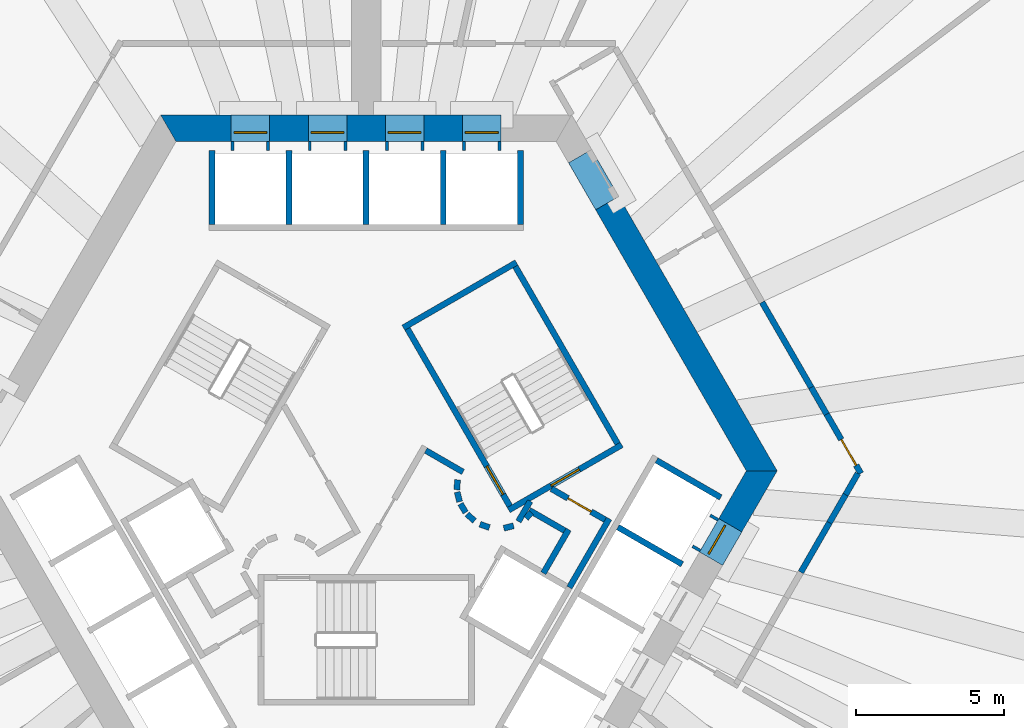
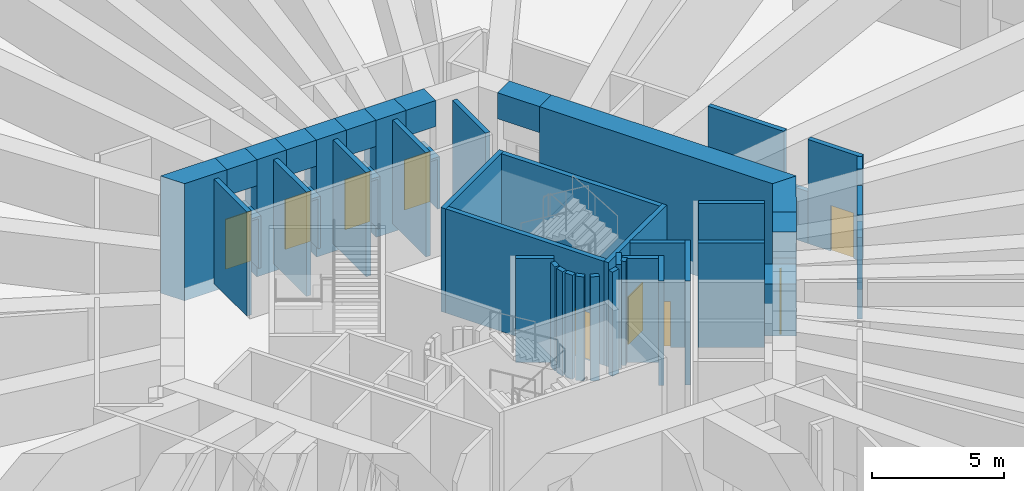
# One storey, part 8 of 21: 47 walls, 9 doors, 9 openings.
"""IFC4 building model written with IfcOpenShell, lengths in metres."""

from ifc_helpers import new_model, si_unit, direction, frame, frame_2d, origin, place, context, subcontext, project, spatial, polyline, rectangle, outline, extrude, material, layer, layer_set, type_object, element, fill, save


model = new_model("IFC4")

# Units and contexts
model_context = context("Model", 3, precision=1e-05, world=origin(), true_north=direction((0.0, 1.0)))
body_context = subcontext(model_context, "Body", "Model", "MODEL_VIEW")
ifc_project = project(units=[si_unit("LENGTHUNIT", "METRE"), si_unit("AREAUNIT", "SQUARE_METRE"), si_unit("VOLUMEUNIT", "CUBIC_METRE"), si_unit("PLANEANGLEUNIT", "RADIAN"), si_unit("MASSUNIT", "GRAM", prefix="KILO")], contexts=[model_context])

# Site, building, storey
site_placement = place(None, origin())
site = spatial("IfcSite", under=ifc_project, at=site_placement, CompositionType="ELEMENT")
building_placement = place(site_placement, origin())
building = spatial("IfcBuilding", under=site, at=building_placement, Name="Entoto Arch Interchange Tower", CompositionType="ELEMENT")
storey_placement = place(building_placement, frame((0.0, 0.0, 81.199951171875)))
storey = spatial("IfcBuildingStorey", under=building, at=storey_placement, Name="L17", CompositionType="ELEMENT", Elevation=81.199951171875)

# Walls
ifc_material_1 = material(Name="Concrete C60/75", Category="concrete")
ifc_layer_1 = layer(ifc_material_1, 0.89990234375)
ifc_layer_set_1 = layer_set([ifc_layer_1], Name="Concrete C60/75")
wall_type_1 = type_object("IfcWallType", Name="Core wall 900 C60/75", PredefinedType="SHEAR", material=ifc_layer_set_1)
wall_1_placement = place(storey_placement, frame((0.0, 0.0, -0.599853515625)))
element("IfcWall", 1, at=wall_1_placement, inside=storey, type_object=wall_type_1, Name="Core wall NE L17", PredefinedType="SHEAR", context=body_context, shape_type="SweptSolid", body=[
    extrude(outline(polyline([(8.51708984375, 11.7470703125), (7.738037109375, 11.298095703125), (12.81689453125, 2.5), (13.85595703125, 2.5), (8.51708984375, 11.7470703125)])), origin(), (0.0, 0.0, 1.0), 5.39990234375),
])
wall_2_placement = place(storey_placement, frame((0.0, 0.0, 3.60009765625)))
element("IfcWall", 2, at=wall_2_placement, inside=storey, type_object=wall_type_1, Name="Core wall lintel NE L17", PredefinedType="SHEAR", context=body_context, shape_type="SweptSolid", body=[
    extrude(outline(polyline([(7.60205078125, 13.33203125), (6.822998046875, 12.882080078125), (7.738037109375, 11.298095703125), (8.51708984375, 11.7470703125), (7.60205078125, 13.33203125)])), origin(), (0.0, 0.0, 1.0), 1.199951171875),
])
wall_3_placement = place(storey_placement, frame((0.0, 0.0, -0.599853515625)))
element("IfcWall", 3, at=wall_3_placement, inside=storey, type_object=wall_type_1, Name="Core wall N L17", PredefinedType="SHEAR", context=body_context, shape_type="SweptSolid", body=[
    extrude(outline(polyline([(1.949951171875, 14.5), (1.949951171875, 13.60009765625), (3.25, 13.60009765625), (3.25, 14.5), (1.949951171875, 14.5)])), origin(), (0.0, 0.0, 1.0), 5.39990234375),
])
wall_4_placement = place(storey_placement, frame((0.0, 0.0, -0.599853515625)))
element("IfcWall", 4, at=wall_4_placement, inside=storey, type_object=wall_type_1, Name="Core wall N L17", PredefinedType="SHEAR", context=body_context, shape_type="SweptSolid", body=[
    extrude(outline(polyline([(-0.64990234375, 14.5), (-0.64990234375, 13.60009765625), (0.64990234375, 13.60009765625), (0.64990234375, 14.5), (-0.64990234375, 14.5)])), origin(), (0.0, 0.0, 1.0), 5.39990234375),
])
wall_5_placement = place(storey_placement, frame((0.0, 0.0, -0.599853515625)))
element("IfcWall", 5, at=wall_5_placement, inside=storey, type_object=wall_type_1, Name="Core wall N L17", PredefinedType="SHEAR", context=body_context, shape_type="SweptSolid", body=[
    extrude(outline(polyline([(-3.25, 14.5), (-3.25, 13.60009765625), (-1.949951171875, 13.60009765625), (-1.949951171875, 14.5), (-3.25, 14.5)])), origin(), (0.0, 0.0, 1.0), 5.39990234375),
])
wall_6_placement = place(storey_placement, frame((0.0, 0.0, -0.599853515625)))
element("IfcWall", 6, at=wall_6_placement, inside=storey, type_object=wall_type_1, Name="Core wall N L17", PredefinedType="SHEAR", context=body_context, shape_type="SweptSolid", body=[
    extrude(outline(polyline([(-4.550048828125, 13.60009765625), (-4.550048828125, 14.5), (-6.927978515625, 14.5), (-6.408935546875, 13.60009765625), (-4.550048828125, 13.60009765625)])), origin(), (0.0, 0.0, 1.0), 5.39990234375),
])
wall_7_placement = place(storey_placement, frame((0.0, 0.0, 3.60009765625)))
element("IfcWall", 7, at=wall_7_placement, inside=storey, type_object=wall_type_1, Name="Core wall lintel N L17", PredefinedType="SHEAR", context=body_context, shape_type="SweptSolid", body=[
    extrude(outline(polyline([(3.25, 14.5), (3.25, 13.60009765625), (4.550048828125, 13.60009765625), (4.550048828125, 14.5), (3.25, 14.5)])), origin(), (0.0, 0.0, 1.0), 1.199951171875),
])
wall_8_placement = place(storey_placement, frame((0.0, 0.0, 3.60009765625)))
element("IfcWall", 8, at=wall_8_placement, inside=storey, type_object=wall_type_1, Name="Core wall lintel N L17", PredefinedType="SHEAR", context=body_context, shape_type="SweptSolid", body=[
    extrude(outline(polyline([(0.64990234375, 14.5), (0.64990234375, 13.60009765625), (1.949951171875, 13.60009765625), (1.949951171875, 14.5), (0.64990234375, 14.5)])), origin(), (0.0, 0.0, 1.0), 1.199951171875),
])
wall_9_placement = place(storey_placement, frame((0.0, 0.0, 3.60009765625)))
element("IfcWall", 9, at=wall_9_placement, inside=storey, type_object=wall_type_1, Name="Core wall lintel N L17", PredefinedType="SHEAR", context=body_context, shape_type="SweptSolid", body=[
    extrude(outline(polyline([(-1.949951171875, 14.5), (-1.949951171875, 13.60009765625), (-0.64990234375, 13.60009765625), (-0.64990234375, 14.5), (-1.949951171875, 14.5)])), origin(), (0.0, 0.0, 1.0), 1.199951171875),
])
wall_10_placement = place(storey_placement, frame((0.0, 0.0, 3.60009765625)))
element("IfcWall", 10, at=wall_10_placement, inside=storey, type_object=wall_type_1, Name="Core wall lintel N L17", PredefinedType="SHEAR", context=body_context, shape_type="SweptSolid", body=[
    extrude(outline(polyline([(-4.550048828125, 14.5), (-4.550048828125, 13.60009765625), (-3.25, 13.60009765625), (-3.25, 14.5), (-4.550048828125, 14.5)])), origin(), (0.0, 0.0, 1.0), 1.199951171875),
])
wall_11_placement = place(storey_placement, frame((0.0, 0.0, -0.599853515625)))
element("IfcWall", 11, at=wall_11_placement, inside=storey, type_object=wall_type_1, Name="Core wall SE L17", PredefinedType="SHEAR", context=body_context, shape_type="SweptSolid", body=[
    extrude(outline(polyline([(11.887939453125, 0.889892578125), (12.6669921875, 0.43994140625), (13.85595703125, 2.5), (12.81689453125, 2.5), (11.887939453125, 0.889892578125)])), origin(), (0.0, 0.0, 1.0), 5.39990234375),
])
wall_12_placement = place(storey_placement, frame((0.0, 0.0, 3.60009765625)))
element("IfcWall", 12, at=wall_12_placement, inside=storey, type_object=wall_type_1, Name="Core wall lintel SE L17", PredefinedType="SHEAR", context=body_context, shape_type="SweptSolid", body=[
    extrude(outline(polyline([(12.6669921875, 0.43994140625), (11.887939453125, 0.889892578125), (11.238037109375, -0.236083984375), (12.01708984375, -0.68603515625), (12.6669921875, 0.43994140625)])), origin(), (0.0, 0.0, 1.0), 1.199951171875),
])

# Wall, opening, door
ifc_material_2 = material(Name="Concrete C40/50", Category="concrete")
ifc_layer_2 = layer(ifc_material_2, 1.199951171875)
ifc_layer_set_2 = layer_set([ifc_layer_2], Name="Concrete C40/50")
wall_type_2 = type_object("IfcWallType", Name="LIFT LANDING INFILL WALL", PredefinedType="STANDARD", material=ifc_layer_set_2)
wall_13_placement = place(storey_placement, frame((4.550048828125, 13.89990234375, 0.0), z_axis=(0.0, 0.0, 1.0), x_axis=(-1.0, 0.0, 0.0)))
wall_13 = element("IfcWall", 13, at=wall_13_placement, inside=storey, type_object=wall_type_2, Name="Lift landing infill wall LR1 L17", PredefinedType="STANDARD", context=body_context, shape_type="SweptSolid", body=[
    extrude(rectangle(XDim=1.300048828125, YDim=1.199951171875, at=frame_2d((0.64990234375, 0.0))), origin(), (0.0, 0.0, 1.0), 2.400146484375),
])
opening_1_placement = place(wall_13_placement, frame((0.10009765625, 0.0, 0.0)))
opening_1 = element("IfcOpeningElement", 14, at=opening_1_placement, cuts=wall_13, Name="Opening LD-LR1-L17", PredefinedType="OPENING", context=body_context, shape_type="SweptSolid", body=[
    extrude(rectangle(XDim=1.10009765625, YDim=2.300048828125, at=frame_2d((0.550048828125, 1.14990234375))), frame((0.0, 0.60986328125, 0.0), z_axis=(0.0, -1.0, 0.0), x_axis=(1.0, 0.0, 0.0)), (0.0, 0.0, 1.0), 1.219970703125),
])
ifc_material_3 = material(Name="Stainless steel 1.4301 panels", Category="steel")
door_type_1 = type_object("IfcDoorType", Name="LIFT LANDING DOOR LD2 1100x2300", OperationType="SLIDING_TO_LEFT", PredefinedType="DOOR", material=ifc_material_3)
door_1_placement = place(opening_1_placement, origin())
door_1 = element("IfcDoor", 15, at=door_1_placement, inside=storey, type_object=door_type_1, Name="Lift landing door LR1 L17", OperationType="SLIDING_TO_LEFT", OverallHeight=2.300048828125, OverallWidth=1.10009765625, PredefinedType="DOOR", context=body_context, shape_type="SweptSolid", body=[
    extrude(rectangle(XDim=1.10009765625, YDim=2.300048828125, at=frame_2d((0.550048828125, 1.14990234375))), frame((0.0, 0.02490234375, 0.0), z_axis=(0.0, -1.0, 0.0), x_axis=(1.0, 0.0, 0.0)), (0.0, 0.0, 1.0), 0.050048828125),
])
fill(opening_1, door_1)

wall_14_placement = place(storey_placement, frame((1.949951171875, 13.89990234375, 0.0), z_axis=(0.0, 0.0, 1.0), x_axis=(-1.0, 0.0, 0.0)))
wall_14 = element("IfcWall", 16, at=wall_14_placement, inside=storey, type_object=wall_type_2, Name="Lift landing infill wall LR2 L17", PredefinedType="STANDARD", context=body_context, shape_type="SweptSolid", body=[
    extrude(rectangle(XDim=1.300048828125, YDim=1.199951171875, at=frame_2d((0.64990234375, 0.0))), origin(), (0.0, 0.0, 1.0), 2.400146484375),
])
opening_2_placement = place(wall_14_placement, frame((0.10009765625, 0.0, 0.0)))
opening_2 = element("IfcOpeningElement", 17, at=opening_2_placement, cuts=wall_14, Name="Opening LD-LR2-L17", PredefinedType="OPENING", context=body_context, shape_type="SweptSolid", body=[
    extrude(rectangle(XDim=1.10009765625, YDim=2.300048828125, at=frame_2d((0.550048828125, 1.14990234375))), frame((0.0, 0.60986328125, 0.0), z_axis=(0.0, -1.0, 0.0), x_axis=(1.0, 0.0, 0.0)), (0.0, 0.0, 1.0), 1.219970703125),
])
door_2_placement = place(opening_2_placement, origin())
door_2 = element("IfcDoor", 18, at=door_2_placement, inside=storey, type_object=door_type_1, Name="Lift landing door LR2 L17", OperationType="SLIDING_TO_LEFT", OverallHeight=2.300048828125, OverallWidth=1.10009765625, PredefinedType="DOOR", context=body_context, shape_type="SweptSolid", body=[
    extrude(rectangle(XDim=1.10009765625, YDim=2.300048828125, at=frame_2d((0.550048828125, 1.14990234375))), frame((0.0, 0.02490234375, 0.0), z_axis=(0.0, -1.0, 0.0), x_axis=(1.0, 0.0, 0.0)), (0.0, 0.0, 1.0), 0.050048828125),
])
fill(opening_2, door_2)

wall_15_placement = place(storey_placement, frame((-0.64990234375, 13.89990234375, 0.0), z_axis=(0.0, 0.0, 1.0), x_axis=(-1.0, 0.0, 0.0)))
wall_15 = element("IfcWall", 19, at=wall_15_placement, inside=storey, type_object=wall_type_2, Name="Lift landing infill wall LR3 L17", PredefinedType="STANDARD", context=body_context, shape_type="SweptSolid", body=[
    extrude(rectangle(XDim=1.300048828125, YDim=1.199951171875, at=frame_2d((0.64990234375, 0.0))), origin(), (0.0, 0.0, 1.0), 2.400146484375),
])
opening_3_placement = place(wall_15_placement, frame((0.10009765625, 0.0, 0.0)))
opening_3 = element("IfcOpeningElement", 20, at=opening_3_placement, cuts=wall_15, Name="Opening LD-LR3-L17", PredefinedType="OPENING", context=body_context, shape_type="SweptSolid", body=[
    extrude(rectangle(XDim=1.10009765625, YDim=2.300048828125, at=frame_2d((0.550048828125, 1.14990234375))), frame((0.0, 0.60986328125, 0.0), z_axis=(0.0, -1.0, 0.0), x_axis=(1.0, 0.0, 0.0)), (0.0, 0.0, 1.0), 1.219970703125),
])
door_3_placement = place(opening_3_placement, origin())
door_3 = element("IfcDoor", 21, at=door_3_placement, inside=storey, type_object=door_type_1, Name="Lift landing door LR3 L17", OperationType="SLIDING_TO_LEFT", OverallHeight=2.300048828125, OverallWidth=1.10009765625, PredefinedType="DOOR", context=body_context, shape_type="SweptSolid", body=[
    extrude(rectangle(XDim=1.10009765625, YDim=2.300048828125, at=frame_2d((0.550048828125, 1.14990234375))), frame((0.0, 0.02490234375, 0.0), z_axis=(0.0, -1.0, 0.0), x_axis=(1.0, 0.0, 0.0)), (0.0, 0.0, 1.0), 0.050048828125),
])
fill(opening_3, door_3)

wall_16_placement = place(storey_placement, frame((-3.25, 13.89990234375, 0.0), z_axis=(0.0, 0.0, 1.0), x_axis=(-1.0, 0.0, 0.0)))
wall_16 = element("IfcWall", 22, at=wall_16_placement, inside=storey, type_object=wall_type_2, Name="Lift landing infill wall LR4 L17", PredefinedType="STANDARD", context=body_context, shape_type="SweptSolid", body=[
    extrude(rectangle(XDim=1.300048828125, YDim=1.199951171875, at=frame_2d((0.64990234375, 0.0))), origin(), (0.0, 0.0, 1.0), 2.400146484375),
])
opening_4_placement = place(wall_16_placement, frame((0.10009765625, 0.0, 0.0)))
opening_4 = element("IfcOpeningElement", 23, at=opening_4_placement, cuts=wall_16, Name="Opening LD-LR4-L17", PredefinedType="OPENING", context=body_context, shape_type="SweptSolid", body=[
    extrude(rectangle(XDim=1.10009765625, YDim=2.300048828125, at=frame_2d((0.550048828125, 1.14990234375))), frame((0.0, 0.60986328125, 0.0), z_axis=(0.0, -1.0, 0.0), x_axis=(1.0, 0.0, 0.0)), (0.0, 0.0, 1.0), 1.219970703125),
])
door_4_placement = place(opening_4_placement, origin())
door_4 = element("IfcDoor", 24, at=door_4_placement, inside=storey, type_object=door_type_1, Name="Lift landing door LR4 L17", OperationType="SLIDING_TO_LEFT", OverallHeight=2.300048828125, OverallWidth=1.10009765625, PredefinedType="DOOR", context=body_context, shape_type="SweptSolid", body=[
    extrude(rectangle(XDim=1.10009765625, YDim=2.300048828125, at=frame_2d((0.550048828125, 1.14990234375))), frame((0.0, 0.02490234375, 0.0), z_axis=(0.0, -1.0, 0.0), x_axis=(1.0, 0.0, 0.0)), (0.0, 0.0, 1.0), 0.050048828125),
])
fill(opening_4, door_4)

wall_17_placement = place(storey_placement, frame((11.498046875, -0.385009765625, 0.0), z_axis=(0.0, 0.0, 1.0), x_axis=(0.500221244143, 0.865897630733, 0.0)))
wall_17 = element("IfcWall", 25, at=wall_17_placement, inside=storey, type_object=wall_type_2, Name="Lift landing infill wall LR8 L17", PredefinedType="STANDARD", context=body_context, shape_type="SweptSolid", body=[
    extrude(rectangle(XDim=1.29931640625, YDim=1.199951171875, at=frame_2d((0.649658203125, 0.0))), origin(), (0.0, 0.0, 1.0), 2.400146484375),
])
opening_5_placement = place(wall_17_placement, frame((0.10009765625, 0.0, 0.0)))
opening_5 = element("IfcOpeningElement", 26, at=opening_5_placement, cuts=wall_17, Name="Opening LD-LR8-L17", PredefinedType="OPENING", context=body_context, shape_type="SweptSolid", body=[
    extrude(rectangle(XDim=1.10009765625, YDim=2.300048828125, at=frame_2d((0.550048828125, 1.14990234375))), frame((0.0, 0.60986328125, 0.0), z_axis=(0.0, -1.0, 0.0), x_axis=(1.0, 0.0, 0.0)), (0.0, 0.0, 1.0), 1.219970703125),
])
door_5_placement = place(opening_5_placement, origin())
door_5 = element("IfcDoor", 27, at=door_5_placement, inside=storey, type_object=door_type_1, Name="Lift landing door LR8 L17", OperationType="SLIDING_TO_LEFT", OverallHeight=2.300048828125, OverallWidth=1.10009765625, PredefinedType="DOOR", context=body_context, shape_type="SweptSolid", body=[
    extrude(rectangle(XDim=1.10009765625, YDim=2.300048828125, at=frame_2d((0.550048828125, 1.14990234375))), frame((0.0, 0.02490234375, 0.0), z_axis=(0.0, -1.0, 0.0), x_axis=(1.0, 0.0, 0.0)), (0.0, 0.0, 1.0), 0.050048828125),
])
fill(opening_5, door_5)

# Walls
ifc_layer_3 = layer(ifc_material_2, 0.199951171875)
ifc_layer_set_3 = layer_set([ifc_layer_3], Name="Concrete C40/50")
wall_type_3 = type_object("IfcWallType", Name="LIFT SHAFT WALL 200", PredefinedType="STANDARD", material=ifc_layer_set_3)
for number, where, z_axis, x_axis, name in (
    (28, (5.199951171875, 10.800048828125, 0.0), (0.0, 0.0, 1.0), (0.0, 1.0, 0.0), "Shaft wall N3 cross 1"),
    (29, (2.60009765625, 10.800048828125, 0.0), (0.0, 0.0, 1.0), (0.0, 1.0, 0.0), "Shaft wall N3 cross 2"),
    (30, (0.0, 10.800048828125, 0.0), (0.0, 0.0, 1.0), (0.0, 1.0, 0.0), "Shaft wall N3 cross 3"),
    (31, (-2.60009765625, 10.800048828125, 0.0), (0.0, 0.0, 1.0), (0.0, 1.0, 0.0), "Shaft wall N3 cross 4"),
    (32, (-5.199951171875, 10.800048828125, 0.0), (0.0, 0.0, 1.0), (0.0, 1.0, 0.0), "Shaft wall N3 cross 5"),
    (33, (8.488037109375, 0.60205078125, 0.0), (0.0, 0.0, 1.0), (0.866022959057, -0.500004234368, 0.0), "Shaft wall SE3 cross 4"),
):
    element("IfcWall", number, at=place(storey_placement, frame(where, z_axis=z_axis, x_axis=x_axis)), inside=storey, type_object=wall_type_3, Name=name, PredefinedType="STANDARD", context=body_context, shape_type="SweptSolid", body=[
        extrude(rectangle(XDim=2.5, YDim=0.199951171875, at=frame_2d((1.25, 0.0))), origin(), (0.0, 0.0, 1.0), 4.800048828125),
    ])
wall_18_placement = place(storey_placement, frame((9.7880859375, 2.85302734375, 0.0), z_axis=(0.0, 0.0, 1.0), x_axis=(0.865998541277, -0.500046524342, 0.0)))
element("IfcWall", 34, at=wall_18_placement, inside=storey, type_object=wall_type_3, Name="Shaft wall SE3 cross 5", PredefinedType="STANDARD", context=body_context, shape_type="SweptSolid", body=[
    extrude(rectangle(XDim=2.499755859375, YDim=0.199951171875, at=frame_2d((1.25, 0.0))), origin(), (0.0, 0.0, 1.0), 4.800048828125),
])
ifc_material_4 = material(Name="Gypsum board partition on steel studs", Category="steel")
ifc_layer_4 = layer(ifc_material_4, 0.199951171875)
ifc_layer_set_4 = layer_set([ifc_layer_4], Name="Gypsum board partition on steel studs")
wall_type_4 = type_object("IfcWallType", Name="PARTITION 200", PredefinedType="PARTITIONING", material=ifc_layer_set_4)
wall_19_placement = place(storey_placement, frame((5.389892578125, 0.89794921875, 0.0), z_axis=(0.0, 0.0, 1.0), x_axis=(0.673828488714, 0.738887791073, 0.0)))
element("IfcWall", 35, at=wall_19_placement, inside=storey, type_object=wall_type_4, Name="wall:L17:p001", PredefinedType="PARTITIONING", context=body_context, shape_type="SweptSolid", body=[
    extrude(rectangle(XDim=0.2626953125, YDim=0.199951171875, at=frame_2d((0.13134765625, 0.0))), origin(), (0.0, 0.0, 1.0), 4.800048828125),
])
wall_20_placement = place(storey_placement, frame((5.4990234375, 1.172119140625, 0.0), z_axis=(0.0, 0.0, 1.0), x_axis=(0.866333505267, -0.499465972466, 0.0)))
element("IfcWall", 36, at=wall_20_placement, inside=storey, type_object=wall_type_4, Name="wall:L17:p002", PredefinedType="PARTITIONING", context=body_context, shape_type="SweptSolid", body=[
    extrude(rectangle(XDim=1.37353515625, YDim=0.199951171875, at=frame_2d((0.686767578125, 0.0))), origin(), (0.0, 0.0, 1.0), 4.800048828125),
])
wall_21_placement = place(storey_placement, frame((6.825927734375, 0.52197265625, 0.0), z_axis=(0.0, 0.0, 1.0), x_axis=(-0.500016722714, -0.866015748706, 0.0)))
element("IfcWall", 37, at=wall_21_placement, inside=storey, type_object=wall_type_4, Name="wall:L17:p003", PredefinedType="PARTITIONING", context=body_context, shape_type="SweptSolid", body=[
    extrude(rectangle(XDim=1.69970703125, YDim=0.199951171875, at=frame_2d((0.849853515625, 0.0))), origin(), (0.0, 0.0, 1.0), 4.800048828125),
])
wall_22_placement = place(storey_placement, frame((8.19189453125, 0.887939453125, 0.0), z_axis=(0.0, 0.0, 1.0), x_axis=(-0.499940625693, -0.866059680843, 0.0)))
element("IfcWall", 38, at=wall_22_placement, inside=storey, type_object=wall_type_4, Name="wall:L17:p004", PredefinedType="PARTITIONING", context=body_context, shape_type="SweptSolid", body=[
    extrude(rectangle(XDim=2.679931640625, YDim=0.199951171875, at=frame_2d((1.33984375, 0.0))), origin(), (0.0, 0.0, 1.0), 4.800048828125),
])
wall_23_placement = place(storey_placement, frame((5.135009765625, 0.79296875, 0.0), z_axis=(0.0, 0.0, 1.0), x_axis=(0.499526442893, 0.866298639529, 0.0)))
element("IfcWall", 39, at=wall_23_placement, inside=storey, type_object=wall_type_4, Name="wall:L17:p005", PredefinedType="PARTITIONING", context=body_context, shape_type="SweptSolid", body=[
    extrude(rectangle(XDim=0.790771484375, YDim=0.199951171875, at=frame_2d((0.3955078125, 0.0))), origin(), (0.0, 0.0, 1.0), 4.800048828125),
])

# Wall, opening, door
wall_24_placement = place(storey_placement, frame((6.25, 1.89404296875, 0.0), z_axis=(0.0, 0.0, 1.0), x_axis=(0.866043184279, -0.499969202016, 0.0)))
wall_24 = element("IfcWall", 40, at=wall_24_placement, inside=storey, type_object=wall_type_4, Name="wall:L17:p006", PredefinedType="PARTITIONING", context=body_context, shape_type="SweptSolid", body=[
    extrude(rectangle(XDim=2.084228515625, YDim=0.199951171875, at=frame_2d((1.0419921875, 0.0))), origin(), (0.0, 0.0, 1.0), 4.800048828125),
])
opening_6_placement = place(wall_24_placement, frame((0.64208984375, 0.0, 0.0)))
opening_6 = element("IfcOpeningElement", 41, at=opening_6_placement, cuts=wall_24, Name="Opening L17-D22", PredefinedType="OPENING", context=body_context, shape_type="SweptSolid", body=[
    extrude(rectangle(XDim=0.89990234375, YDim=2.10009765625, at=frame_2d((0.449951171875, 1.050048828125))), frame((0.0, 0.10986328125, 0.0), z_axis=(0.0, -1.0, 0.0), x_axis=(1.0, 0.0, 0.0)), (0.0, 0.0, 1.0), 0.219970703125),
])
ifc_material_5 = material(Name="Timber door leaf in Steel S235 frame", Category="steel")
door_type_2 = type_object("IfcDoorType", Name="DOOR DS-09 900x2100", OperationType="SINGLE_SWING_LEFT", PredefinedType="DOOR", material=ifc_material_5)
door_6_placement = place(opening_6_placement, origin())
door_6 = element("IfcDoor", 42, at=door_6_placement, inside=storey, type_object=door_type_2, Name="door:L17:22", OperationType="SINGLE_SWING_LEFT", OverallHeight=2.10009765625, OverallWidth=0.89990234375, PredefinedType="DOOR", context=body_context, shape_type="SweptSolid", body=[
    extrude(rectangle(XDim=0.89990234375, YDim=2.10009765625, at=frame_2d((0.449951171875, 1.050048828125))), frame((0.0, 0.02490234375, 0.0), z_axis=(0.0, -1.0, 0.0), x_axis=(1.0, 0.0, 0.0)), (0.0, 0.0, 1.0), 0.050048828125),
])
fill(opening_6, door_6)

# Walls
wall_25_placement = place(storey_placement, frame((3.0791015625, 2.198974609375, 0.0), z_axis=(0.0, 0.0, 1.0), x_axis=(-0.047771483479, -0.998858290933, 0.0)))
element("IfcWall", 43, at=wall_25_placement, inside=storey, type_object=wall_type_4, Name="wall:L17:p012", PredefinedType="PARTITIONING", context=body_context, shape_type="SweptSolid", body=[
    extrude(rectangle(XDim=0.33740234375, YDim=0.199951171875, at=frame_2d((0.168701171875, 0.0))), origin(), (0.0, 0.0, 1.0), 4.800048828125),
])
wall_26_placement = place(storey_placement, frame((3.070068359375, 1.785888671875, 0.0), z_axis=(0.0, 0.0, 1.0), x_axis=(0.242705583207, -0.970099994784, 0.0)))
element("IfcWall", 44, at=wall_26_placement, inside=storey, type_object=wall_type_4, Name="wall:L17:p013", PredefinedType="PARTITIONING", context=body_context, shape_type="SweptSolid", body=[
    extrude(rectangle(XDim=0.337890625, YDim=0.199951171875, at=frame_2d((0.1689453125, 0.0))), origin(), (0.0, 0.0, 1.0), 4.800048828125),
])
for number, where, z_axis, x_axis, name in (
    (45, (3.181884765625, 1.387939453125, 0.0), (0.0, 0.0, 1.0), (0.512474702713, -0.85870232274, 0.0), "wall:L17:p014"),
    (46, (3.404052734375, 1.0390625, 0.0), (0.0, 0.0, 1.0), (0.740267097712, -0.672312891476, 0.0), "wall:L17:p015"),
):
    element("IfcWall", number, at=place(storey_placement, frame(where, z_axis=z_axis, x_axis=x_axis)), inside=storey, type_object=wall_type_4, Name=name, PredefinedType="PARTITIONING", context=body_context, shape_type="SweptSolid", body=[
        extrude(rectangle(XDim=0.337646484375, YDim=0.199951171875, at=frame_2d((0.1689453125, 0.0))), origin(), (0.0, 0.0, 1.0), 4.800048828125),
    ])
wall_27_placement = place(storey_placement, frame((3.837890625, 0.701904296875, 0.0), z_axis=(0.0, 0.0, 1.0), x_axis=(0.941035081519, -0.338308993895, 0.0)))
element("IfcWall", 47, at=wall_27_placement, inside=storey, type_object=wall_type_4, Name="wall:L17:p016", PredefinedType="PARTITIONING", context=body_context, shape_type="SweptSolid", body=[
    extrude(rectangle(XDim=0.3369140625, YDim=0.199951171875, at=frame_2d((0.16845703125, 0.0))), origin(), (0.0, 0.0, 1.0), 4.800048828125),
])
wall_28_placement = place(storey_placement, frame((4.64404296875, 0.56396484375, 0.0), z_axis=(0.0, 0.0, 1.0), x_axis=(0.969929076366, 0.243387729394, 0.0)))
element("IfcWall", 48, at=wall_28_placement, inside=storey, type_object=wall_type_4, Name="wall:L17:p017", PredefinedType="PARTITIONING", context=body_context, shape_type="SweptSolid", body=[
    extrude(rectangle(XDim=0.337158203125, YDim=0.199951171875, at=frame_2d((0.16845703125, 0.0))), origin(), (0.0, 0.0, 1.0), 4.800048828125),
])
wall_29_placement = place(storey_placement, frame((2.011962890625, 3.18603515625, 0.0), z_axis=(0.0, 0.0, 1.0), x_axis=(0.865891012941, -0.500232699559, 0.0)))
element("IfcWall", 49, at=wall_29_placement, inside=storey, type_object=wall_type_4, Name="wall:L17:p019", PredefinedType="PARTITIONING", context=body_context, shape_type="SweptSolid", body=[
    extrude(rectangle(XDim=1.449462890625, YDim=0.199951171875, at=frame_2d((0.724609375, 0.0))), origin(), (0.0, 0.0, 1.0), 4.800048828125),
])
wall_30_placement = place(storey_placement, frame((16.576904296875, 2.4130859375, 0.0), z_axis=(0.0, 0.0, 1.0), x_axis=(-0.499850094852, -0.866111934265, 0.0)))
element("IfcWall", 50, at=wall_30_placement, inside=storey, type_object=wall_type_4, Name="wall:L17:p054", PredefinedType="PARTITIONING", context=body_context, shape_type="SweptSolid", body=[
    extrude(rectangle(XDim=0.827880859375, YDim=0.199951171875, at=frame_2d((0.4140625, 0.0))), origin(), (0.0, 0.0, 1.0), 4.800048828125),
])
wall_31_placement = place(storey_placement, frame((13.345947265625, 8.18310546875, 0.0), z_axis=(0.0, 0.0, 1.0), x_axis=(0.499981780173, -0.866035922751, 0.0)))
element("IfcWall", 51, at=wall_31_placement, inside=storey, type_object=wall_type_4, Name="wall:L17:p053", PredefinedType="PARTITIONING", context=body_context, shape_type="SweptSolid", body=[
    extrude(rectangle(XDim=3.31396484375, YDim=0.199951171875, at=frame_2d((1.656982421875, 0.0))), origin(), (0.0, 0.0, 1.0), 4.800048828125),
])
wall_32_placement = place(storey_placement, frame((15.0029296875, 5.31298828125, 0.0), z_axis=(0.0, 0.0, 1.0), x_axis=(0.499715696113, -0.8661894845, 0.0)))
element("IfcWall", 52, at=wall_32_placement, inside=storey, type_object=wall_type_4, Name="wall:L17:p053", PredefinedType="PARTITIONING", context=body_context, shape_type="SweptSolid", body=[
    extrude(rectangle(XDim=1.04248046875, YDim=0.199951171875, at=frame_2d((0.521240234375, 0.0))), origin(), (0.0, 0.0, 1.0), 2.400146484375),
])

# Wall, opening, door
wall_33_placement = place(storey_placement, frame((15.52392578125, 4.409912109375, 0.0), z_axis=(0.0, 0.0, 1.0), x_axis=(0.500067667087, -0.865986332649, 0.0)))
wall_33 = element("IfcWall", 53, at=wall_33_placement, inside=storey, type_object=wall_type_4, Name="wall:L17:p053", PredefinedType="PARTITIONING", context=body_context, shape_type="SweptSolid", body=[
    extrude(rectangle(XDim=2.305908203125, YDim=0.199951171875, at=frame_2d((1.15283203125, 0.0))), origin(), (0.0, 0.0, 1.0), 4.800048828125),
])
opening_7_placement = place(wall_33_placement, frame((0.988037109375, 0.0, 0.0)))
opening_7 = element("IfcOpeningElement", 54, at=opening_7_placement, cuts=wall_33, Name="Opening L17-D09", PredefinedType="OPENING", context=body_context, shape_type="SweptSolid", body=[
    extrude(rectangle(XDim=1.0, YDim=2.10009765625, at=frame_2d((0.5, 1.050048828125))), frame((0.0, 0.10986328125, 0.0), z_axis=(0.0, -1.0, 0.0), x_axis=(1.0, 0.0, 0.0)), (0.0, 0.0, 1.0), 0.219970703125),
])
ifc_material_6 = material(Name="Fire-rated Steel S235 door and frame", Category="steel")
door_type_3 = type_object("IfcDoorType", Name="DOOR FD-10 1000x2100", OperationType="SINGLE_SWING_LEFT", PredefinedType="DOOR", material=ifc_material_6)
door_7_placement = place(opening_7_placement, origin())
door_7 = element("IfcDoor", 55, at=door_7_placement, inside=storey, type_object=door_type_3, Name="door:L17:09", OperationType="SINGLE_SWING_LEFT", OverallHeight=2.10009765625, OverallWidth=1.0, PredefinedType="DOOR", context=body_context, shape_type="SweptSolid", body=[
    extrude(rectangle(XDim=1.0, YDim=2.10009765625, at=frame_2d((0.5, 1.050048828125))), frame((0.0, 0.02490234375, 0.0), z_axis=(0.0, -1.0, 0.0), x_axis=(1.0, 0.0, 0.0)), (0.0, 0.0, 1.0), 0.050048828125),
])
fill(opening_7, door_7)

# Walls
wall_34_placement = place(storey_placement, frame((16.1630859375, 1.696044921875, 0.0), z_axis=(0.0, 0.0, 1.0), x_axis=(-0.500348398615, -0.865824162289, 0.0)))
element("IfcWall", 56, at=wall_34_placement, inside=storey, type_object=wall_type_4, Name="wall:L17:p054", PredefinedType="PARTITIONING", context=body_context, shape_type="SweptSolid", body=[
    extrude(rectangle(XDim=1.091552734375, YDim=0.199951171875, at=frame_2d((0.5458984375, 0.0))), origin(), (0.0, 0.0, 1.0), 2.400146484375),
])
wall_35_placement = place(storey_placement, frame((15.616943359375, 0.7509765625, 0.0), z_axis=(0.0, 0.0, 1.0), x_axis=(-0.499517771221, -0.866303639744, 0.0)))
element("IfcWall", 57, at=wall_35_placement, inside=storey, type_object=wall_type_4, Name="wall:L17:p054", PredefinedType="PARTITIONING", context=body_context, shape_type="SweptSolid", body=[
    extrude(rectangle(XDim=1.927734375, YDim=0.199951171875, at=frame_2d((0.9638671875, 0.0))), origin(), (0.0, 0.0, 1.0), 4.800048828125),
])

# Wall, opening, door
ifc_layer_5 = layer(ifc_material_2, 0.199951171875)
ifc_layer_set_5 = layer_set([ifc_layer_5], Name="Concrete C40/50")
wall_type_5 = type_object("IfcWallType", Name="STAIR ENCLOSURE WALL 200", PredefinedType="STANDARD", material=ifc_layer_set_5)
wall_36_placement = place(storey_placement, frame((4.805908203125, 1.176025390625, 0.0), z_axis=(0.0, 0.0, 1.0), x_axis=(0.866059941101, 0.499940174841, 0.0)))
wall_36 = element("IfcWall", 58, at=wall_36_placement, inside=storey, type_object=wall_type_5, Name="Stair wall ST-NE near", PredefinedType="STANDARD", context=body_context, shape_type="SweptSolid", body=[
    extrude(rectangle(XDim=4.400390625, YDim=0.199951171875, at=frame_2d((2.2001953125, 0.0))), origin(), (0.0, 0.0, 1.0), 4.800048828125),
])
opening_8_placement = place(wall_36_placement, frame((1.64990234375, 0.0, 0.0)))
opening_8 = element("IfcOpeningElement", 59, at=opening_8_placement, cuts=wall_36, Name="Opening SD-ST-NE-L17-E", PredefinedType="OPENING", context=body_context, shape_type="SweptSolid", body=[
    extrude(rectangle(XDim=1.10009765625, YDim=2.199951171875, at=frame_2d((0.550048828125, 1.10009765625))), frame((0.0, 0.10986328125, 0.0), z_axis=(0.0, -1.0, 0.0), x_axis=(1.0, 0.0, 0.0)), (0.0, 0.0, 1.0), 0.219970703125),
])
ifc_material_7 = material(Name="Steel S235", Category="steel")
door_type_4 = type_object("IfcDoorType", Name="STAIR DOOR SD1 1100x2200", OperationType="SINGLE_SWING_LEFT", PredefinedType="DOOR", material=ifc_material_7)
door_8_placement = place(opening_8_placement, origin())
door_8 = element("IfcDoor", 60, at=door_8_placement, inside=storey, type_object=door_type_4, Name="Stair door ST-NE L17 end", OperationType="SINGLE_SWING_LEFT", OverallHeight=2.199951171875, OverallWidth=1.10009765625, PredefinedType="DOOR", context=body_context, shape_type="SweptSolid", body=[
    extrude(rectangle(XDim=1.10009765625, YDim=2.199951171875, at=frame_2d((0.550048828125, 1.10009765625))), frame((0.0, 0.02490234375, 0.0), z_axis=(0.0, -1.0, 0.0), x_axis=(1.0, 0.0, 0.0)), (0.0, 0.0, 1.0), 0.050048828125),
])
fill(opening_8, door_8)

# Wall
wall_37_placement = place(storey_placement, frame((1.256103515625, 7.323974609375, 0.0), z_axis=(0.0, 0.0, 1.0), x_axis=(0.866046073146, 0.499964197906, 0.0)))
element("IfcWall", 61, at=wall_37_placement, inside=storey, type_object=wall_type_5, Name="Stair wall ST-NE far", PredefinedType="STANDARD", context=body_context, shape_type="SweptSolid", body=[
    extrude(rectangle(XDim=4.400146484375, YDim=0.199951171875, at=frame_2d((2.2001953125, 0.0))), origin(), (0.0, 0.0, 1.0), 4.800048828125),
])

# Wall, opening, door
wall_38_placement = place(storey_placement, frame((4.843017578125, 1.31201171875, 0.0), z_axis=(0.0, 0.0, 1.0), x_axis=(-0.499963383562, 0.866046543262, 0.0)))
wall_38 = element("IfcWall", 62, at=wall_38_placement, inside=storey, type_object=wall_type_5, Name="Stair wall ST-NE hall", PredefinedType="STANDARD", context=body_context, shape_type="SweptSolid", body=[
    extrude(rectangle(XDim=6.900390625, YDim=0.199951171875, at=frame_2d((3.4501953125, 0.0))), origin(), (0.0, 0.0, 1.0), 4.800048828125),
])
opening_9_placement = place(wall_38_placement, frame((0.449951171875, 0.0, 0.0)))
opening_9 = element("IfcOpeningElement", 63, at=opening_9_placement, cuts=wall_38, Name="Opening SD-ST-NE-L17", PredefinedType="OPENING", context=body_context, shape_type="SweptSolid", body=[
    extrude(rectangle(XDim=1.10009765625, YDim=2.199951171875, at=frame_2d((0.550048828125, 1.10009765625))), frame((0.0, 0.10986328125, 0.0), z_axis=(0.0, -1.0, 0.0), x_axis=(1.0, 0.0, 0.0)), (0.0, 0.0, 1.0), 0.219970703125),
])
door_9_placement = place(opening_9_placement, origin())
door_9 = element("IfcDoor", 64, at=door_9_placement, inside=storey, type_object=door_type_4, Name="Stair door ST-NE L17", OperationType="SINGLE_SWING_LEFT", OverallHeight=2.199951171875, OverallWidth=1.10009765625, PredefinedType="DOOR", context=body_context, shape_type="SweptSolid", body=[
    extrude(rectangle(XDim=1.10009765625, YDim=2.199951171875, at=frame_2d((0.550048828125, 1.10009765625))), frame((0.0, 0.02490234375, 0.0), z_axis=(0.0, -1.0, 0.0), x_axis=(1.0, 0.0, 0.0)), (0.0, 0.0, 1.0), 0.050048828125),
])
fill(opening_9, door_9)

# Wall
wall_39_placement = place(storey_placement, frame((8.47998046875, 3.412109375, 0.0), z_axis=(0.0, 0.0, 1.0), x_axis=(-0.499978703459, 0.866037698999, 0.0)))
element("IfcWall", 65, at=wall_39_placement, inside=storey, type_object=wall_type_5, Name="Stair wall ST-NE back", PredefinedType="STANDARD", context=body_context, shape_type="SweptSolid", body=[
    extrude(rectangle(XDim=6.900146484375, YDim=0.199951171875, at=frame_2d((3.4501953125, 0.0))), origin(), (0.0, 0.0, 1.0), 4.800048828125),
])

save(model, "model.ifc")
